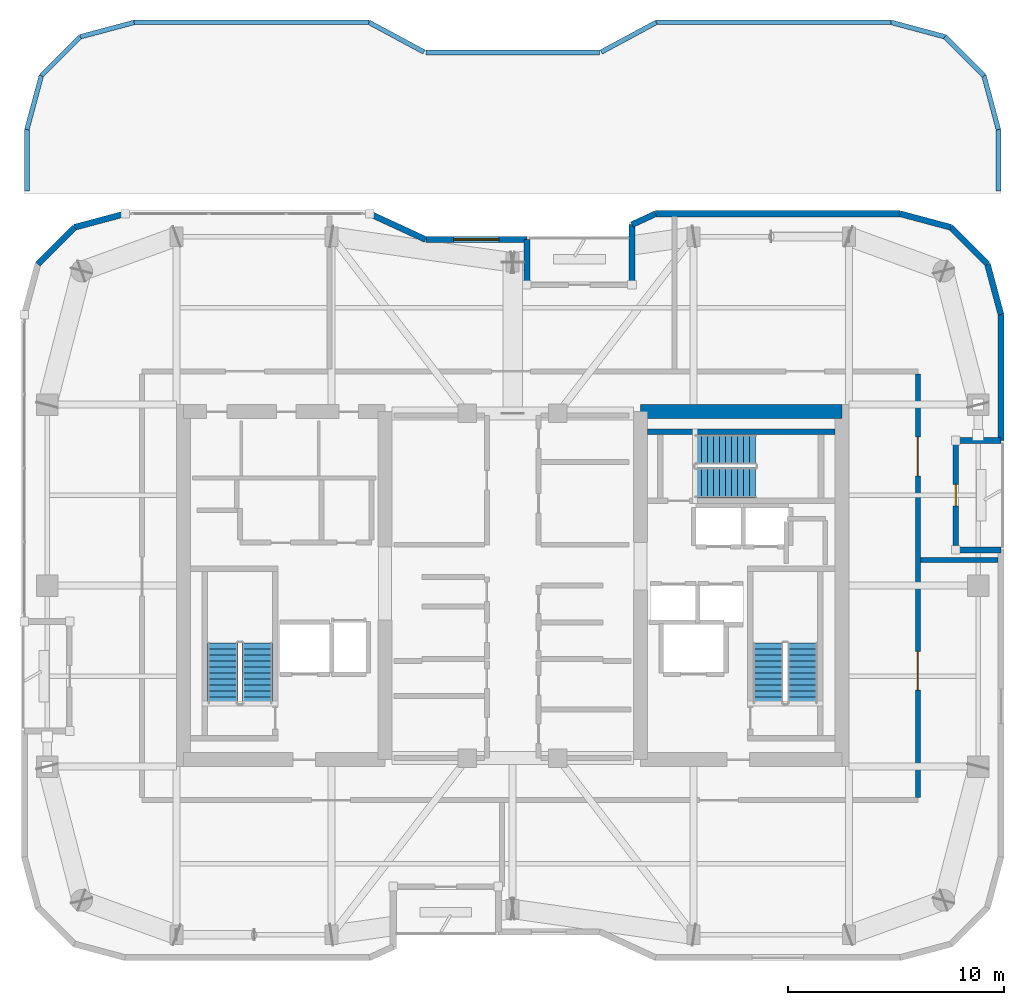
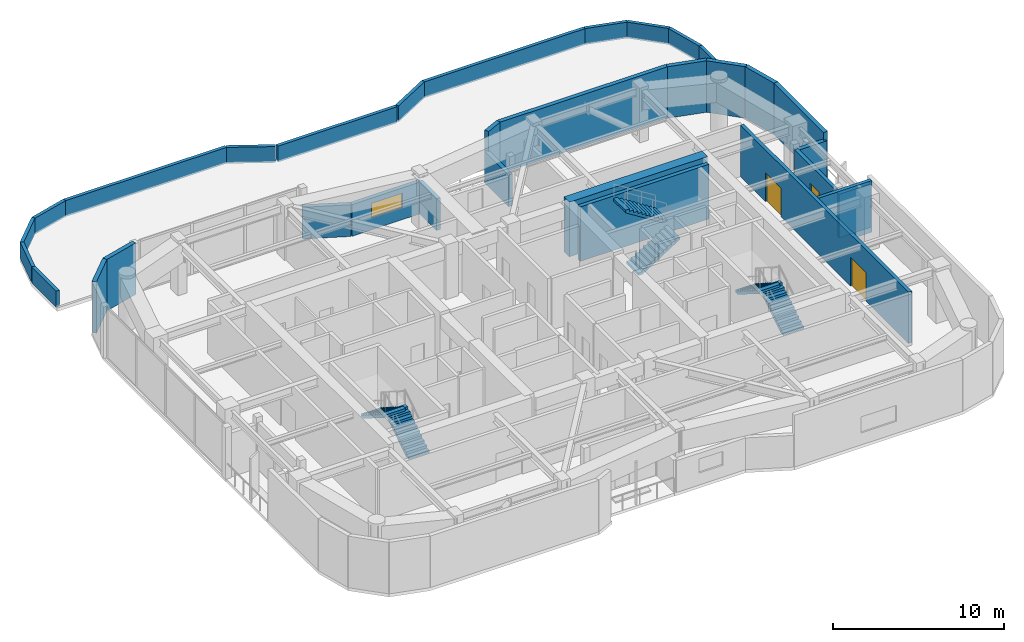
# One storey, part 13 of 16: 32 walls, 6 stair flights, 3 doors, 1 window, 4 openings, 3 elements without a shape of their own.
"""IFC4 building model written with IfcOpenShell, lengths in metres."""

from ifc_helpers import new_model, si_unit, direction, frame, frame_2d, origin, place, context, subcontext, project, spatial, polyline, rectangle, outline, extrude, material, layer, layer_set, type_object, element, fill, aggregate, save


model = new_model("IFC4")

# Units and contexts
model_context = context("Model", 3, precision=1e-05, world=origin(), true_north=direction((0.0, 1.0)))
body_context = subcontext(model_context, "Body", "Model", "MODEL_VIEW")
ifc_project = project(units=[si_unit("LENGTHUNIT", "METRE"), si_unit("AREAUNIT", "SQUARE_METRE"), si_unit("VOLUMEUNIT", "CUBIC_METRE"), si_unit("PLANEANGLEUNIT", "RADIAN"), si_unit("MASSUNIT", "GRAM", prefix="KILO")], contexts=[model_context])

# Site, building, storey
site_placement = place(None, origin())
site = spatial("IfcSite", under=ifc_project, at=site_placement, CompositionType="ELEMENT")
building_placement = place(site_placement, origin())
building = spatial("IfcBuilding", under=site, at=building_placement, Name="Kiyonajd Concourse Tower", CompositionType="ELEMENT")
storey_placement = place(building_placement, frame((0.0, 0.0, 255.0)))
storey = spatial("IfcBuildingStorey", under=building, at=storey_placement, Name="L64", CompositionType="ELEMENT", Elevation=255.0)

# Walls
ifc_material_1 = material(Name="Concrete C60/75", Category="concrete")
ifc_layer_1 = layer(ifc_material_1, 0.64990234375)
ifc_layer_set_1 = layer_set([ifc_layer_1], Name="Concrete C60/75")
wall_type_1 = type_object("IfcWallType", Name="WL-CORE-650", PredefinedType="SHEAR", material=ifc_layer_set_1)
wall_1_placement = place(storey_placement, frame((53.925048828125, 44.074951171875, 0.0), z_axis=(0.0, 0.0, 1.0), x_axis=(1.0, 0.0, 0.0)))
element("IfcWall", 1, at=wall_1_placement, inside=storey, type_object=wall_type_1, Name="L64 East Core North Shear Wall", PredefinedType="SHEAR", context=body_context, shape_type="SweptSolid", body=[
    extrude(rectangle(XDim=9.349853515625, YDim=0.64990234375, at=frame_2d((4.6748046875, 0.0))), origin(), (0.0, 0.0, 1.0), 3.89990234375),
])
ifc_material_2 = material(Name="Precast concrete C50/60", Category="concrete")
ifc_layer_2 = layer(ifc_material_2, 0.280029296875)
ifc_layer_set_2 = layer_set([ifc_layer_2], Name="Precast concrete C50/60")
wall_type_2 = type_object("IfcWallType", Name="WL-EXT-280", PredefinedType="SOLIDWALL", material=ifc_layer_set_2)
wall_2_placement = place(storey_placement, frame((25.968505859375, 50.927490234375, 0.0), z_axis=(0.0, 0.0, 1.0), x_axis=(0.707106781187, 0.707106781187, 0.0)))
element("IfcWall", 2, at=wall_2_placement, inside=storey, type_object=wall_type_2, Name="L64 Exterior Concrete Frame Wall 07", PredefinedType="SOLIDWALL", context=body_context, shape_type="SweptSolid", body=[
    extrude(rectangle(XDim=2.409912109375, YDim=0.280029296875, at=frame_2d((1.205078125, 0.0))), origin(), (0.0, 0.0, 1.0), 3.679931640625),
])
wall_3_placement = place(storey_placement, frame((27.672607421875, 52.631591796875, 0.0), z_axis=(0.0, 0.0, 1.0), x_axis=(0.965937282298, 0.25877628691, 0.0)))
element("IfcWall", 3, at=wall_3_placement, inside=storey, type_object=wall_type_2, Name="L64 Exterior Concrete Frame Wall 08", PredefinedType="SOLIDWALL", context=body_context, shape_type="SweptSolid", body=[
    extrude(rectangle(XDim=2.428466796875, YDim=0.280029296875, at=frame_2d((1.21435546875, 0.0))), origin(), (0.0, 0.0, 1.0), 3.679931640625),
])
wall_4_placement = place(storey_placement, frame((41.369384765625, 53.260009765625, 0.0), z_axis=(0.0, 0.0, 1.0), x_axis=(0.907956889006, -0.419063584324, 0.0)))
element("IfcWall", 4, at=wall_4_placement, inside=storey, type_object=wall_type_2, Name="L64 Exterior Concrete Frame Wall 10", PredefinedType="SOLIDWALL", context=body_context, shape_type="SweptSolid", body=[
    extrude(rectangle(XDim=2.863525390625, YDim=0.280029296875, at=frame_2d((1.431640625, 0.0))), origin(), (0.0, 0.0, 1.0), 2.264892578125),
])

# Wall, opening, window
wall_5_placement = place(storey_placement, frame((43.96923828125, 52.06005859375, 0.0), z_axis=(0.0, 0.0, 1.0), x_axis=(1.0, 0.0, 0.0)))
wall_5 = element("IfcWall", 5, at=wall_5_placement, inside=storey, type_object=wall_type_2, Name="L64 Exterior Concrete Frame Wall 11", PredefinedType="SOLIDWALL", context=body_context, shape_type="SweptSolid", body=[
    extrude(rectangle(XDim=4.690673828125, YDim=0.280029296875, at=frame_2d((2.34521484375, 0.0))), origin(), (0.0, 0.0, 1.0), 2.264892578125),
])
opening_1_placement = place(wall_5_placement, frame((1.294921875, 0.0, 0.85009765625)))
opening_1 = element("IfcOpeningElement", 6, at=opening_1_placement, cuts=wall_5, Name="Opening WN5", PredefinedType="OPENING", context=body_context, shape_type="SweptSolid", body=[
    extrude(rectangle(XDim=2.10009765625, YDim=1.050048828125, at=frame_2d((1.050048828125, 0.52490234375))), frame((0.0, 0.14990234375, 0.0), z_axis=(0.0, -1.0, 0.0), x_axis=(1.0, 0.0, 0.0)), (0.0, 0.0, 1.0), 0.300048828125),
])
ifc_material_3 = material(Name="Double Low-E Insulated Glass", Category="glass")
window_type = type_object("IfcWindowType", Name="WN-VIS-2100x1050", PartitioningType="SINGLE_PANEL", PredefinedType="WINDOW", material=ifc_material_3)
window_placement = place(opening_1_placement, origin())
window = element("IfcWindow", 7, at=window_placement, inside=storey, type_object=window_type, Name="L64 Modular Facade Vision Window 11", OverallHeight=1.050048828125, OverallWidth=2.10009765625, PartitioningType="SINGLE_PANEL", PredefinedType="WINDOW", context=body_context, shape_type="SweptSolid", body=[
    extrude(rectangle(XDim=2.10009765625, YDim=1.050048828125, at=frame_2d((1.050048828125, 0.52490234375))), frame((0.0, 0.030029296875, 0.0), z_axis=(0.0, -1.0, 0.0), x_axis=(1.0, 0.0, 0.0)), (0.0, 0.0, 1.0), 0.06005859375),
])
fill(opening_1, window)

# Walls
wall_6_placement = place(storey_placement, frame((48.659912109375, 52.06005859375, 0.0), z_axis=(0.0, 0.0, 1.0), x_axis=(0.0, -1.0, 0.0)))
element("IfcWall", 8, at=wall_6_placement, inside=storey, type_object=wall_type_2, Name="L64 Exterior Concrete Frame Wall 12", PredefinedType="SOLIDWALL", context=body_context, shape_type="SweptSolid", body=[
    extrude(rectangle(XDim=2.10009765625, YDim=0.280029296875, at=frame_2d((1.050048828125, 0.0))), origin(), (0.0, 0.0, 1.0), 2.264892578125),
])
wall_7_placement = place(storey_placement, frame((53.5400390625, 49.9599609375, 0.0), z_axis=(0.0, 0.0, 1.0), x_axis=(0.0, 1.0, 0.0)))
element("IfcWall", 9, at=wall_7_placement, inside=storey, type_object=wall_type_2, Name="L64 Exterior Concrete Frame Wall 14", PredefinedType="SOLIDWALL", context=body_context, shape_type="SweptSolid", body=[
    extrude(rectangle(XDim=2.79638671875, YDim=0.280029296875, at=frame_2d((1.398193359375, 0.0))), origin(), (0.0, 0.0, 1.0), 2.264892578125),
])
wall_8_placement = place(storey_placement, frame((53.5400390625, 52.75634765625, 0.0), z_axis=(0.0, 0.0, 1.0), x_axis=(0.907893953211, 0.419199916176, 0.0)))
element("IfcWall", 10, at=wall_8_placement, inside=storey, type_object=wall_type_2, Name="L64 Exterior Concrete Frame Wall 15", PredefinedType="SOLIDWALL", context=body_context, shape_type="SweptSolid", body=[
    extrude(rectangle(XDim=1.201416015625, YDim=0.280029296875, at=frame_2d((0.6005859375, 0.0))), origin(), (0.0, 0.0, 1.0), 3.679931640625),
])
wall_9_placement = place(storey_placement, frame((54.630859375, 53.260009765625, 0.0), z_axis=(0.0, 0.0, 1.0), x_axis=(1.0, 0.0, 0.0)))
element("IfcWall", 11, at=wall_9_placement, inside=storey, type_object=wall_type_2, Name="L64 Exterior Concrete Frame Wall 16", PredefinedType="SOLIDWALL", context=body_context, shape_type="SweptSolid", body=[
    extrude(rectangle(XDim=11.350830078125, YDim=0.280029296875, at=frame_2d((5.67529296875, 0.0))), origin(), (0.0, 0.0, 1.0), 3.679931640625),
])
wall_10_placement = place(storey_placement, frame((65.981689453125, 53.260009765625, 0.0), z_axis=(0.0, 0.0, 1.0), x_axis=(0.965937282298, -0.25877628691, 0.0)))
element("IfcWall", 12, at=wall_10_placement, inside=storey, type_object=wall_type_2, Name="L64 Exterior Concrete Frame Wall 17", PredefinedType="SOLIDWALL", context=body_context, shape_type="SweptSolid", body=[
    extrude(rectangle(XDim=2.428466796875, YDim=0.280029296875, at=frame_2d((1.21435546875, 0.0))), origin(), (0.0, 0.0, 1.0), 3.679931640625),
])
wall_11_placement = place(storey_placement, frame((68.327392578125, 52.631591796875, 0.0), z_axis=(0.0, 0.0, 1.0), x_axis=(0.707106781187, -0.707106781187, 0.0)))
element("IfcWall", 13, at=wall_11_placement, inside=storey, type_object=wall_type_2, Name="L64 Exterior Concrete Frame Wall 18", PredefinedType="SOLIDWALL", context=body_context, shape_type="SweptSolid", body=[
    extrude(rectangle(XDim=2.409912109375, YDim=0.280029296875, at=frame_2d((1.205078125, 0.0))), origin(), (0.0, 0.0, 1.0), 3.679931640625),
])
wall_12_placement = place(storey_placement, frame((70.031494140625, 50.927490234375, 0.0), z_axis=(0.0, 0.0, 1.0), x_axis=(0.258751159445, -0.965944013639, 0.0)))
element("IfcWall", 14, at=wall_12_placement, inside=storey, type_object=wall_type_2, Name="L64 Exterior Concrete Frame Wall 19", PredefinedType="SOLIDWALL", context=body_context, shape_type="SweptSolid", body=[
    extrude(rectangle(XDim=2.4287109375, YDim=0.280029296875, at=frame_2d((1.21435546875, 0.0))), origin(), (0.0, 0.0, 1.0), 3.679931640625),
])
wall_13_placement = place(storey_placement, frame((70.659912109375, 48.58154296875, 0.0), z_axis=(0.0, 0.0, 1.0), x_axis=(0.0, -1.0, 0.0)))
element("IfcWall", 15, at=wall_13_placement, inside=storey, type_object=wall_type_2, Name="L64 Exterior Concrete Frame Wall 20", PredefinedType="SOLIDWALL", context=body_context, shape_type="SweptSolid", body=[
    extrude(rectangle(XDim=5.841552734375, YDim=0.280029296875, at=frame_2d((2.9208984375, 0.0))), origin(), (0.0, 0.0, 1.0), 3.679931640625),
])
for number, where, z_axis, x_axis, name in (
    (16, (70.659912109375, 42.739990234375, 0.0), (0.0, 0.0, 1.0), (-1.0, 0.0, 0.0), "L64 Exterior Concrete Frame Wall 21"),
    (17, (68.56005859375, 37.659912109375, 0.0), (0.0, 0.0, 1.0), (1.0, 0.0, 0.0), "L64 Exterior Concrete Frame Wall 23"),
):
    element("IfcWall", number, at=place(storey_placement, frame(where, z_axis=z_axis, x_axis=x_axis)), inside=storey, type_object=wall_type_2, Name=name, PredefinedType="SOLIDWALL", context=body_context, shape_type="SweptSolid", body=[
        extrude(rectangle(XDim=2.099853515625, YDim=0.280029296875, at=frame_2d((1.0498046875, 0.0))), origin(), (0.0, 0.0, 1.0), 3.1259765625),
    ])

# Wall, openings, doors
ifc_material_4 = material(Name="Gypsum Board on Cold-Formed Steel Stud", Category="steel")
ifc_layer_3 = layer(ifc_material_4, 0.22998046875)
ifc_layer_set_3 = layer_set([ifc_layer_3], Name="Gypsum Board on Cold-Formed Steel Stud")
wall_type_3 = type_object("IfcWallType", Name="WL-FIRE-230", PredefinedType="PARTITIONING", material=ifc_layer_set_3)
wall_14_placement = place(storey_placement, frame((66.800048828125, 26.1669921875, 0.0), z_axis=(0.0, 0.0, 1.0), x_axis=(0.0, 1.0, 0.0)))
wall_14 = element("IfcWall", 18, at=wall_14_placement, inside=storey, type_object=wall_type_3, Name="L64 Interior Partition Wall", PredefinedType="PARTITIONING", context=body_context, shape_type="SweptSolid", body=[
    extrude(rectangle(XDim=19.666015625, YDim=0.22998046875, at=frame_2d((9.8330078125, 0.0))), origin(), (0.0, 0.0, 1.0), 3.679931640625),
])
opening_2_placement = place(wall_14_placement, frame((4.98291015625, 0.0, 0.0)))
opening_2 = element("IfcOpeningElement", 19, at=opening_2_placement, cuts=wall_14, Name="Opening DI3", PredefinedType="OPENING", context=body_context, shape_type="SweptSolid", body=[
    extrude(rectangle(XDim=1.800048828125, YDim=2.06005859375, at=frame_2d((0.89990234375, 1.030029296875))), frame((0.0, 0.125, 0.0), z_axis=(0.0, -1.0, 0.0), x_axis=(1.0, 0.0, 0.0)), (0.0, 0.0, 1.0), 0.25),
])
opening_3_placement = place(wall_14_placement, frame((14.93310546875, 0.0, 0.0)))
opening_3 = element("IfcOpeningElement", 20, at=opening_3_placement, cuts=wall_14, Name="Opening DI3", PredefinedType="OPENING", context=body_context, shape_type="SweptSolid", body=[
    extrude(rectangle(XDim=1.800048828125, YDim=2.06005859375, at=frame_2d((0.89990234375, 1.030029296875))), frame((0.0, 0.125, 0.0), z_axis=(0.0, -1.0, 0.0), x_axis=(1.0, 0.0, 0.0)), (0.0, 0.0, 1.0), 0.25),
])
ifc_material_5 = material(Name="Brushed Stainless Steel Cab Assembly", Category="steel")
door_type_1 = type_object("IfcDoorType", Name="DR-PAIR-1800", OperationType="DOUBLE_DOOR_SINGLE_SWING", PredefinedType="DOOR", material=ifc_material_5)
door_1_placement = place(opening_2_placement, origin())
door_1 = element("IfcDoor", 21, at=door_1_placement, inside=storey, type_object=door_type_1, Name="L64 Interior Door", OperationType="DOUBLE_DOOR_SINGLE_SWING", OverallHeight=2.06005859375, OverallWidth=1.800048828125, PredefinedType="DOOR", context=body_context, shape_type="SweptSolid", body=[
    extrude(rectangle(XDim=1.800048828125, YDim=2.06005859375, at=frame_2d((0.89990234375, 1.030029296875))), frame((0.0, 0.02490234375, 0.0), z_axis=(0.0, -1.0, 0.0), x_axis=(1.0, 0.0, 0.0)), (0.0, 0.0, 1.0), 0.050048828125),
])
fill(opening_2, door_1)
door_2_placement = place(opening_3_placement, origin())
door_2 = element("IfcDoor", 22, at=door_2_placement, inside=storey, type_object=door_type_1, Name="L64 Interior Door", OperationType="DOUBLE_DOOR_SINGLE_SWING", OverallHeight=2.06005859375, OverallWidth=1.800048828125, PredefinedType="DOOR", context=body_context, shape_type="SweptSolid", body=[
    extrude(rectangle(XDim=1.800048828125, YDim=2.06005859375, at=frame_2d((0.89990234375, 1.030029296875))), frame((0.0, 0.02490234375, 0.0), z_axis=(0.0, -1.0, 0.0), x_axis=(1.0, 0.0, 0.0)), (0.0, 0.0, 1.0), 0.050048828125),
])
fill(opening_3, door_2)

# Wall
wall_15_placement = place(storey_placement, frame((66.9169921875, 37.199951171875, 0.0), z_axis=(0.0, 0.0, 1.0), x_axis=(1.0, 0.0, 0.0)))
element("IfcWall", 23, at=wall_15_placement, inside=storey, type_object=wall_type_3, Name="L64 Interior Partition Wall", PredefinedType="PARTITIONING", context=body_context, shape_type="SweptSolid", body=[
    extrude(rectangle(XDim=3.60791015625, YDim=0.22998046875, at=frame_2d((1.803955078125, 0.0))), origin(), (0.0, 0.0, 1.0), 3.679931640625),
])

# Wall, opening, door
ifc_layer_4 = layer(ifc_material_2, 0.239990234375)
ifc_layer_set_4 = layer_set([ifc_layer_4], Name="Precast concrete C50/60")
wall_type_4 = type_object("IfcWallType", Name="WL-LOG-240", PredefinedType="SOLIDWALL", material=ifc_layer_set_4)
wall_16_placement = place(storey_placement, frame((68.56005859375, 42.544921875, 0.0), z_axis=(0.0, 0.0, 1.0), x_axis=(0.0, -1.0, 0.0)))
wall_16 = element("IfcWall", 24, at=wall_16_placement, inside=storey, type_object=wall_type_4, Name="L64 Recessed Loggia Thermal Wall LOG-E", PredefinedType="SOLIDWALL", context=body_context, shape_type="SweptSolid", body=[
    extrude(rectangle(XDim=4.68994140625, YDim=0.239990234375, at=frame_2d((2.344970703125, 0.0))), origin(), (0.0, 0.0, 1.0), 3.31103515625),
])
opening_4_placement = place(wall_16_placement, frame((1.844970703125, 0.0, 0.0)))
opening_4 = element("IfcOpeningElement", 25, at=opening_4_placement, cuts=wall_16, Name="Opening DL1", PredefinedType="OPENING", context=body_context, shape_type="SweptSolid", body=[
    extrude(rectangle(XDim=1.0, YDim=2.02001953125, at=frame_2d((0.5, 1.010009765625))), frame((0.0, 0.1298828125, 0.0), z_axis=(0.0, -1.0, 0.0), x_axis=(1.0, 0.0, 0.0)), (0.0, 0.0, 1.0), 0.260009765625),
])
ifc_material_6 = material(Name="Thermally Broken Anodised Aluminium", Category="aluminium")
door_type_2 = type_object("IfcDoorType", Name="DR-LOG-1000", OperationType="NOTDEFINED", PredefinedType="DOOR", material=ifc_material_6)
door_3_placement = place(opening_4_placement, origin())
door_3 = element("IfcDoor", 26, at=door_3_placement, inside=storey, type_object=door_type_2, Name="L64 Engawa Loggia Access Door LOG-E", OperationType="SINGLE_SWING_LEFT", OverallHeight=2.02001953125, OverallWidth=1.0, PredefinedType="DOOR", context=body_context, shape_type="SweptSolid", body=[
    extrude(rectangle(XDim=1.0, YDim=2.02001953125, at=frame_2d((0.5, 1.010009765625))), frame((0.0, 0.02490234375, 0.0), z_axis=(0.0, -1.0, 0.0), x_axis=(1.0, 0.0, 0.0)), (0.0, 0.0, 1.0), 0.050048828125),
])
fill(opening_4, door_3)

# Walls
ifc_layer_5 = layer(ifc_material_2, 0.219970703125)
ifc_layer_set_5 = layer_set([ifc_layer_5], Name="Precast concrete C50/60")
wall_type_5 = type_object("IfcWallType", Name="WL-PAR-220", PredefinedType="PARAPET", material=ifc_layer_set_5)
wall_17_placement = place(storey_placement, frame((26.129638671875, 59.6650390625, 0.0), z_axis=(0.0, 0.0, 1.0), x_axis=(0.707058966548, 0.707154592592, 0.0)))
element("IfcWall", 27, at=wall_17_placement, inside=storey, type_object=wall_type_5, Name="L64 Setback Roof Parapet 01", PredefinedType="PARAPET", context=body_context, shape_type="SweptSolid", body=[
    extrude(rectangle(XDim=2.552978515625, YDim=0.219970703125, at=frame_2d((1.2763671875, 0.0))), origin(), (0.0, 0.0, 1.0), 1.14990234375),
])
wall_18_placement = place(storey_placement, frame((27.934814453125, 61.470458984375, 0.0), z_axis=(0.0, 0.0, 1.0), x_axis=(0.96596194449, 0.2586842125, 0.0)))
element("IfcWall", 28, at=wall_18_placement, inside=storey, type_object=wall_type_5, Name="L64 Setback Roof Parapet 02", PredefinedType="PARAPET", context=body_context, shape_type="SweptSolid", body=[
    extrude(rectangle(XDim=2.587890625, YDim=0.219970703125, at=frame_2d((1.2939453125, 0.0))), origin(), (0.0, 0.0, 1.0), 1.14990234375),
])
wall_19_placement = place(storey_placement, frame((30.4345703125, 62.139892578125, 0.0), z_axis=(0.0, 0.0, 1.0), x_axis=(1.0, 0.0, 0.0)))
element("IfcWall", 29, at=wall_19_placement, inside=storey, type_object=wall_type_5, Name="L64 Setback Roof Parapet 03", PredefinedType="PARAPET", context=body_context, shape_type="SweptSolid", body=[
    extrude(rectangle(XDim=10.899658203125, YDim=0.219970703125, at=frame_2d((5.44970703125, 0.0))), origin(), (0.0, 0.0, 1.0), 1.14990234375),
])
wall_20_placement = place(storey_placement, frame((41.334228515625, 62.139892578125, 0.0), z_axis=(0.0, 0.0, 1.0), x_axis=(0.88052243263, -0.474004478498, 0.0)))
element("IfcWall", 30, at=wall_20_placement, inside=storey, type_object=wall_type_5, Name="L64 Setback Roof Parapet 04", PredefinedType="PARAPET", context=body_context, shape_type="SweptSolid", body=[
    extrude(rectangle(XDim=2.9013671875, YDim=0.219970703125, at=frame_2d((1.45068359375, 0.0))), origin(), (0.0, 0.0, 1.0), 1.14990234375),
])
wall_21_placement = place(storey_placement, frame((43.986328125, 60.739990234375, 0.0), z_axis=(0.0, 0.0, 1.0), x_axis=(0.999999992632, 0.000121388686, 0.0)))
element("IfcWall", 31, at=wall_21_placement, inside=storey, type_object=wall_type_5, Name="L64 Setback Roof Parapet 06", PredefinedType="PARAPET", context=body_context, shape_type="SweptSolid", body=[
    extrude(rectangle(XDim=8.044921875, YDim=0.219970703125, at=frame_2d((4.0224609375, 0.0))), origin(), (0.0, 0.0, 1.0), 1.14990234375),
])
wall_22_placement = place(storey_placement, frame((52.113525390625, 60.765869140625, 0.0), z_axis=(0.0, 0.0, 1.0), x_axis=(0.880508960624, 0.474029503577, 0.0)))
element("IfcWall", 32, at=wall_22_placement, inside=storey, type_object=wall_type_5, Name="L64 Setback Roof Parapet 08", PredefinedType="PARAPET", context=body_context, shape_type="SweptSolid", body=[
    extrude(rectangle(XDim=2.898681640625, YDim=0.219970703125, at=frame_2d((1.44921875, 0.0))), origin(), (0.0, 0.0, 1.0), 1.14990234375),
])
wall_23_placement = place(storey_placement, frame((54.665771484375, 62.139892578125, 0.0), z_axis=(0.0, 0.0, 1.0), x_axis=(1.0, 0.0, 0.0)))
element("IfcWall", 33, at=wall_23_placement, inside=storey, type_object=wall_type_5, Name="L64 Setback Roof Parapet 09", PredefinedType="PARAPET", context=body_context, shape_type="SweptSolid", body=[
    extrude(rectangle(XDim=10.899658203125, YDim=0.219970703125, at=frame_2d((5.44970703125, 0.0))), origin(), (0.0, 0.0, 1.0), 1.14990234375),
])
wall_24_placement = place(storey_placement, frame((65.5654296875, 62.139892578125, 0.0), z_axis=(0.0, 0.0, 1.0), x_axis=(0.96596194449, -0.2586842125, 0.0)))
element("IfcWall", 34, at=wall_24_placement, inside=storey, type_object=wall_type_5, Name="L64 Setback Roof Parapet 10", PredefinedType="PARAPET", context=body_context, shape_type="SweptSolid", body=[
    extrude(rectangle(XDim=2.587890625, YDim=0.219970703125, at=frame_2d((1.2939453125, 0.0))), origin(), (0.0, 0.0, 1.0), 1.14990234375),
])
wall_25_placement = place(storey_placement, frame((68.065185546875, 61.470458984375, 0.0), z_axis=(0.0, 0.0, 1.0), x_axis=(0.707058966548, -0.707154592592, 0.0)))
element("IfcWall", 35, at=wall_25_placement, inside=storey, type_object=wall_type_5, Name="L64 Setback Roof Parapet 11", PredefinedType="PARAPET", context=body_context, shape_type="SweptSolid", body=[
    extrude(rectangle(XDim=2.552978515625, YDim=0.219970703125, at=frame_2d((1.2763671875, 0.0))), origin(), (0.0, 0.0, 1.0), 1.14990234375),
])
wall_26_placement = place(storey_placement, frame((69.870361328125, 59.6650390625, 0.0), z_axis=(0.0, 0.0, 1.0), x_axis=(0.258795820512, -0.965932049, 0.0)))
element("IfcWall", 36, at=wall_26_placement, inside=storey, type_object=wall_type_5, Name="L64 Setback Roof Parapet 12", PredefinedType="PARAPET", context=body_context, shape_type="SweptSolid", body=[
    extrude(rectangle(XDim=2.587646484375, YDim=0.219970703125, at=frame_2d((1.2939453125, 0.0))), origin(), (0.0, 0.0, 1.0), 1.14990234375),
])
for number, where, z_axis, x_axis, name in (
    (37, (70.5400390625, 57.16552734375, 0.0), (0.0, 0.0, 1.0), (0.0, -1.0, 0.0), "L64 Setback Roof Parapet 13"),
    (38, (25.4599609375, 54.31005859375, 0.0), (0.0, 0.0, 1.0), (0.0, 1.0, 0.0), "L64 Setback Roof Parapet 15"),
):
    element("IfcWall", number, at=place(storey_placement, frame(where, z_axis=z_axis, x_axis=x_axis)), inside=storey, type_object=wall_type_5, Name=name, PredefinedType="PARAPET", context=body_context, shape_type="SweptSolid", body=[
        extrude(rectangle(XDim=2.85546875, YDim=0.219970703125, at=frame_2d((1.427734375, 0.0))), origin(), (0.0, 0.0, 1.0), 1.14990234375),
    ])
wall_27_placement = place(storey_placement, frame((25.4599609375, 57.16552734375, 0.0), z_axis=(0.0, 0.0, 1.0), x_axis=(0.258795820512, 0.965932049, 0.0)))
element("IfcWall", 39, at=wall_27_placement, inside=storey, type_object=wall_type_5, Name="L64 Setback Roof Parapet 16", PredefinedType="PARAPET", context=body_context, shape_type="SweptSolid", body=[
    extrude(rectangle(XDim=2.587646484375, YDim=0.219970703125, at=frame_2d((1.2939453125, 0.0))), origin(), (0.0, 0.0, 1.0), 1.14990234375),
])
ifc_material_7 = material(Name="Concrete C50/60", Category="concrete")
ifc_layer_6 = layer(ifc_material_7, 0.260009765625)
ifc_layer_set_6 = layer_set([ifc_layer_6], Name="Concrete C50/60")
wall_type_6 = type_object("IfcWallType", Name="WL-STAIR-260", PredefinedType="SHEAR", material=ifc_layer_set_6)
wall_28_placement = place(storey_placement, frame((54.25, 43.14990234375, 0.0), z_axis=(0.0, 0.0, 1.0), x_axis=(1.0, 0.0, 0.0)))
element("IfcWall", 40, at=wall_28_placement, inside=storey, type_object=wall_type_6, Name="L64 Stair ST3 Structural North Wall", PredefinedType="SHEAR", context=body_context, shape_type="SweptSolid", body=[
    extrude(rectangle(XDim=8.699951171875, YDim=0.260009765625, at=frame_2d((4.35009765625, 0.0))), origin(), (0.0, 0.0, 1.0), 3.89990234375),
])

# Stair, stair flights
ifc_material_8 = material(Name="Concrete C40/50", Category="concrete")
stair_type = type_object("IfcStairType", Name="ST-DLG-22R", PredefinedType="HALF_TURN_STAIR", material=ifc_material_8)
stair_1_placement = place(storey_placement, origin())
stair_1 = element("IfcStair", 41, at=stair_1_placement, inside=storey, type_object=stair_type, Name="L64 Protected Exit Stair ST1", PredefinedType="HALF_TURN_STAIR")
stair_flight_type = type_object("IfcStairFlightType", Name="SF-STR-22R", PredefinedType="STRAIGHT", material=ifc_material_8)
stair_flight_1_placement = place(storey_placement, frame((36.14990234375, 30.550048828125, 0.0), z_axis=(0.0, 0.0, 1.0), x_axis=(0.0, 1.0, 0.0)))
stair_flight_1 = element("IfcStairFlight", 42, at=stair_flight_1_placement, type_object=stair_flight_type, Name="ST1 flight 1", NumberOfRisers=11, NumberOfTreads=10, PredefinedType="STRAIGHT", RiserHeight=0.177272727, TreadLength=0.28, context=body_context, shape_type="SweptSolid", body=[
    extrude(outline(polyline([(0.0, 0.0), (0.0, 0.17724609375), (0.280029296875, 0.17724609375), (0.280029296875, 0.3544921875), (0.56005859375, 0.3544921875), (0.56005859375, 0.53173828125), (0.840087890625, 0.53173828125), (0.840087890625, 0.708984375), (1.1201171875, 0.708984375), (1.1201171875, 0.886474609375), (1.39990234375, 0.886474609375), (1.39990234375, 1.063720703125), (1.679931640625, 1.063720703125), (1.679931640625, 1.240966796875), (1.9599609375, 1.240966796875), (1.9599609375, 1.418212890625), (2.239990234375, 1.418212890625), (2.239990234375, 1.595458984375), (2.52001953125, 1.595458984375), (2.52001953125, 1.772705078125), (2.800048828125, 1.772705078125), (2.800048828125, 1.949951171875), (2.800048828125, 1.59521484375), (0.2802734375, 0.0), (0.0, 0.0)])), frame((0.0, 0.699951171875, 0.0), z_axis=(0.0, -1.0, 0.0), x_axis=(1.0, 0.0, 0.0)), (0.0, 0.0, 1.0), 1.39990234375),
])
stair_flight_2_placement = place(storey_placement, frame((34.550048828125, 33.35009765625, 1.949951171875), z_axis=(0.0, 0.0, 1.0), x_axis=(0.0, -1.0, 0.0)))
stair_flight_2 = element("IfcStairFlight", 43, at=stair_flight_2_placement, type_object=stair_flight_type, Name="ST1 flight 2", NumberOfRisers=11, NumberOfTreads=10, PredefinedType="STRAIGHT", RiserHeight=0.177272727, TreadLength=0.28, context=body_context, shape_type="SweptSolid", body=[
    extrude(outline(polyline([(0.0, 0.0), (0.0, 0.17724609375), (0.280029296875, 0.17724609375), (0.280029296875, 0.3544921875), (0.56005859375, 0.3544921875), (0.56005859375, 0.53173828125), (0.840087890625, 0.53173828125), (0.840087890625, 0.708984375), (1.1201171875, 0.708984375), (1.1201171875, 0.886474609375), (1.39990234375, 0.886474609375), (1.39990234375, 1.063720703125), (1.679931640625, 1.063720703125), (1.679931640625, 1.240966796875), (1.9599609375, 1.240966796875), (1.9599609375, 1.418212890625), (2.239990234375, 1.418212890625), (2.239990234375, 1.595458984375), (2.52001953125, 1.595458984375), (2.52001953125, 1.772705078125), (2.800048828125, 1.772705078125), (2.800048828125, 1.949951171875), (2.800048828125, 1.59521484375), (0.2802734375, 0.0), (0.0, 0.0)])), frame((0.0, 0.699951171875, 0.0), z_axis=(0.0, -1.0, 0.0), x_axis=(1.0, 0.0, 0.0)), (0.0, 0.0, 1.0), 1.39990234375),
])
aggregate(stair_1, [stair_flight_1, stair_flight_2])

stair_2_placement = place(storey_placement, origin())
stair_2 = element("IfcStair", 44, at=stair_2_placement, inside=storey, type_object=stair_type, Name="L64 Protected Exit Stair ST2", PredefinedType="HALF_TURN_STAIR")
stair_flight_3_placement = place(storey_placement, frame((61.449951171875, 30.550048828125, 0.0), z_axis=(0.0, 0.0, 1.0), x_axis=(0.0, 1.0, 0.0)))
stair_flight_3 = element("IfcStairFlight", 45, at=stair_flight_3_placement, type_object=stair_flight_type, Name="ST2 flight 1", NumberOfRisers=11, NumberOfTreads=10, PredefinedType="STRAIGHT", RiserHeight=0.177272727, TreadLength=0.28, context=body_context, shape_type="SweptSolid", body=[
    extrude(outline(polyline([(0.0, 0.0), (0.0, 0.17724609375), (0.280029296875, 0.17724609375), (0.280029296875, 0.3544921875), (0.56005859375, 0.3544921875), (0.56005859375, 0.53173828125), (0.840087890625, 0.53173828125), (0.840087890625, 0.708984375), (1.1201171875, 0.708984375), (1.1201171875, 0.886474609375), (1.39990234375, 0.886474609375), (1.39990234375, 1.063720703125), (1.679931640625, 1.063720703125), (1.679931640625, 1.240966796875), (1.9599609375, 1.240966796875), (1.9599609375, 1.418212890625), (2.239990234375, 1.418212890625), (2.239990234375, 1.595458984375), (2.52001953125, 1.595458984375), (2.52001953125, 1.772705078125), (2.800048828125, 1.772705078125), (2.800048828125, 1.949951171875), (2.800048828125, 1.59521484375), (0.2802734375, 0.0), (0.0, 0.0)])), frame((0.0, 0.699951171875, 0.0), z_axis=(0.0, -1.0, 0.0), x_axis=(1.0, 0.0, 0.0)), (0.0, 0.0, 1.0), 1.39990234375),
])
stair_flight_4_placement = place(storey_placement, frame((59.85009765625, 33.35009765625, 1.949951171875), z_axis=(0.0, 0.0, 1.0), x_axis=(0.0, -1.0, 0.0)))
stair_flight_4 = element("IfcStairFlight", 46, at=stair_flight_4_placement, type_object=stair_flight_type, Name="ST2 flight 2", NumberOfRisers=11, NumberOfTreads=10, PredefinedType="STRAIGHT", RiserHeight=0.177272727, TreadLength=0.28, context=body_context, shape_type="SweptSolid", body=[
    extrude(outline(polyline([(0.0, 0.0), (0.0, 0.17724609375), (0.280029296875, 0.17724609375), (0.280029296875, 0.3544921875), (0.56005859375, 0.3544921875), (0.56005859375, 0.53173828125), (0.840087890625, 0.53173828125), (0.840087890625, 0.708984375), (1.1201171875, 0.708984375), (1.1201171875, 0.886474609375), (1.39990234375, 0.886474609375), (1.39990234375, 1.063720703125), (1.679931640625, 1.063720703125), (1.679931640625, 1.240966796875), (1.9599609375, 1.240966796875), (1.9599609375, 1.418212890625), (2.239990234375, 1.418212890625), (2.239990234375, 1.595458984375), (2.52001953125, 1.595458984375), (2.52001953125, 1.772705078125), (2.800048828125, 1.772705078125), (2.800048828125, 1.949951171875), (2.800048828125, 1.59521484375), (0.2802734375, 0.0), (0.0, 0.0)])), frame((0.0, 0.699951171875, 0.0), z_axis=(0.0, -1.0, 0.0), x_axis=(1.0, 0.0, 0.0)), (0.0, 0.0, 1.0), 1.39990234375),
])
aggregate(stair_2, [stair_flight_3, stair_flight_4])

stair_3_placement = place(storey_placement, origin())
stair_3 = element("IfcStair", 47, at=stair_3_placement, inside=storey, type_object=stair_type, Name="L64 Protected Exit Stair ST3", PredefinedType="HALF_TURN_STAIR")
stair_flight_5_placement = place(storey_placement, frame((56.47998046875, 40.780029296875, 0.0), z_axis=(0.0, 0.0, 1.0), x_axis=(1.0, 0.0, 0.0)))
stair_flight_5 = element("IfcStairFlight", 48, at=stair_flight_5_placement, type_object=stair_flight_type, Name="ST3 flight 1", NumberOfRisers=11, NumberOfTreads=10, PredefinedType="STRAIGHT", RiserHeight=0.177272727, TreadLength=0.28, context=body_context, shape_type="SweptSolid", body=[
    extrude(outline(polyline([(0.0, 0.0), (0.0, 0.17724609375), (0.280029296875, 0.17724609375), (0.280029296875, 0.3544921875), (0.56005859375, 0.3544921875), (0.56005859375, 0.53173828125), (0.840087890625, 0.53173828125), (0.840087890625, 0.708984375), (1.1201171875, 0.708984375), (1.1201171875, 0.886474609375), (1.39990234375, 0.886474609375), (1.39990234375, 1.063720703125), (1.679931640625, 1.063720703125), (1.679931640625, 1.240966796875), (1.9599609375, 1.240966796875), (1.9599609375, 1.418212890625), (2.239990234375, 1.418212890625), (2.239990234375, 1.595458984375), (2.52001953125, 1.595458984375), (2.52001953125, 1.772705078125), (2.800048828125, 1.772705078125), (2.800048828125, 1.949951171875), (2.800048828125, 1.59521484375), (0.2802734375, 0.0), (0.0, 0.0)])), frame((0.0, 0.699951171875, 0.0), z_axis=(0.0, -1.0, 0.0), x_axis=(1.0, 0.0, 0.0)), (0.0, 0.0, 1.0), 1.39990234375),
])
stair_flight_6_placement = place(storey_placement, frame((59.280029296875, 42.320068359375, 1.949951171875), z_axis=(0.0, 0.0, 1.0), x_axis=(-1.0, 0.0, 0.0)))
stair_flight_6 = element("IfcStairFlight", 49, at=stair_flight_6_placement, type_object=stair_flight_type, Name="ST3 flight 2", NumberOfRisers=11, NumberOfTreads=10, PredefinedType="STRAIGHT", RiserHeight=0.177272727, TreadLength=0.28, context=body_context, shape_type="SweptSolid", body=[
    extrude(outline(polyline([(0.0, 0.0), (0.0, 0.17724609375), (0.280029296875, 0.17724609375), (0.280029296875, 0.3544921875), (0.56005859375, 0.3544921875), (0.56005859375, 0.53173828125), (0.840087890625, 0.53173828125), (0.840087890625, 0.708984375), (1.1201171875, 0.708984375), (1.1201171875, 0.886474609375), (1.39990234375, 0.886474609375), (1.39990234375, 1.063720703125), (1.679931640625, 1.063720703125), (1.679931640625, 1.240966796875), (1.9599609375, 1.240966796875), (1.9599609375, 1.418212890625), (2.239990234375, 1.418212890625), (2.239990234375, 1.595458984375), (2.52001953125, 1.595458984375), (2.52001953125, 1.772705078125), (2.800048828125, 1.772705078125), (2.800048828125, 1.949951171875), (2.800048828125, 1.59521484375), (0.2802734375, 0.0), (0.0, 0.0)])), frame((0.0, 0.699951171875, 0.0), z_axis=(0.0, -1.0, 0.0), x_axis=(1.0, 0.0, 0.0)), (0.0, 0.0, 1.0), 1.39990234375),
])
aggregate(stair_3, [stair_flight_5, stair_flight_6])

save(model, "model.ifc")
